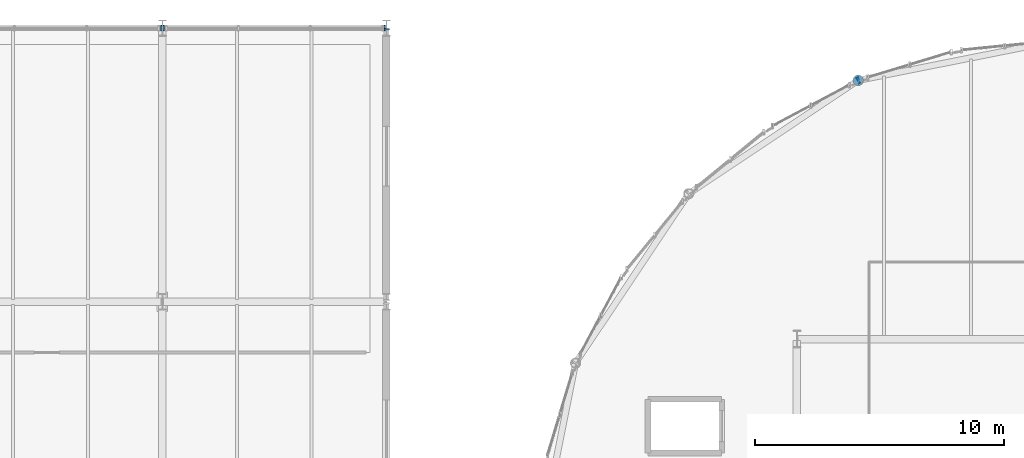
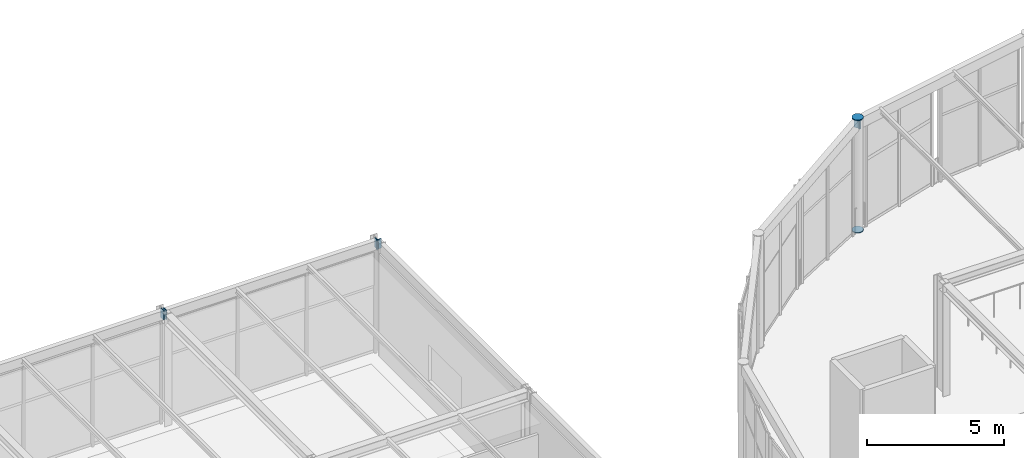
# One storey, part 168 of 195: 8 discrete accessories.
"""IFC4 building model written with IfcOpenShell, lengths in metres."""

from ifc_helpers import new_model, si_unit, direction, frame, origin, origin_2d, place, context, subcontext, project, spatial, rectangle, circle, extrude, material, element, save


model = new_model("IFC4")

# Units and contexts
model_context = context("Model", 3, precision=1e-05, world=origin(), true_north=direction((0.0, 1.0)))
body_context = subcontext(model_context, "Body", "Model", "MODEL_VIEW")
ifc_project = project(units=[si_unit("LENGTHUNIT", "METRE"), si_unit("AREAUNIT", "SQUARE_METRE"), si_unit("VOLUMEUNIT", "CUBIC_METRE"), si_unit("PLANEANGLEUNIT", "RADIAN"), si_unit("MASSUNIT", "GRAM", prefix="KILO")], contexts=[model_context])

# Site, building, storey
site_placement = place(None, origin())
site = spatial("IfcSite", under=ifc_project, at=site_placement, CompositionType="ELEMENT")
building_placement = place(site_placement, origin())
building = spatial("IfcBuilding", under=site, at=building_placement, Name="Marlcrest Central Station", CompositionType="ELEMENT")
storey_placement = place(building_placement, frame((0.0, 0.0, 9.800048828125)))
storey = spatial("IfcBuildingStorey", under=building, at=storey_placement, Name="L02", CompositionType="ELEMENT", Elevation=9.800048828125)

# Discrete accessories
ifc_material = material(Name="Steel S355", Category="steel")
for number, where, z_axis, x_axis, name in (
    (1, (71.925048828125, 132.0, 4.800048828125), (1.0, 0.0, 0.0), (0.0, 1.0, 0.0), "endcap-bm-SP-01-L02-00382-e"),
    (2, (72.03515625, 132.0, 4.77490234375), (1.0, 0.0, 0.0), (0.0, 1.0, 0.0), "endcap-bm-SP-01-L02-00383-s"),
    (3, (80.925048828125, 132.0, 4.77490234375), (1.0, 0.0, 0.0), (0.0, 1.0, 0.0), "endcap-bm-SP-01-L02-00383-e"),
    (4, (81.0, 131.925048828125, 4.77490234375), (0.0, 1.0, 0.0), (-1.0, 0.0, 0.0), "endcap-bm-SP-01-L02-00413-e"),
):
    element("IfcDiscreteAccessory", number, at=place(storey_placement, frame(where, z_axis=z_axis, x_axis=x_axis)), inside=storey, material=ifc_material, Name=name, ObjectType="END_CAP_PLATE", PredefinedType="BRACKET", context=body_context, shape_type="SweptSolid", body=[
        extrude(rectangle(XDim=0.216064453125, YDim=0.416015625, at=origin_2d()), origin(), (0.0, 0.0, 1.0), 0.0400390625),
    ])
for number, where, z_axis, x_axis, name in (
    (5, (99.964111328125, 129.90087890625, -0.014892578125), (0.0, 0.0, 1.0), (1.0, 0.0, 0.0), "endcap-col-SC-10-L02-0853-s"),
    (6, (99.964111328125, 129.90087890625, 4.985107421875), (0.0, 0.0, 1.0), (1.0, 0.0, 0.0), "endcap-col-SC-10-L02-0853-e"),
):
    element("IfcDiscreteAccessory", number, at=place(storey_placement, frame(where, z_axis=z_axis, x_axis=x_axis)), inside=storey, material=ifc_material, Name=name, ObjectType="END_CAP_PLATE", PredefinedType="BRACKET", context=body_context, shape_type="SweptSolid", body=[
        extrude(circle(Radius=0.211181640625, at=origin_2d()), origin(), (0.0, 0.0, 1.0), 0.0400390625),
    ])
for number, where, z_axis, x_axis, name in (
    (7, (99.943359375, 129.886962890625, 4.77001953125), (0.831508991937, 0.55551129271, 0.0), (-0.55551129271, 0.831508991937, 0.0), "endcap-bm-SP-02-L02-01479-e"),
    (8, (99.949462890625, 129.89794921875, 4.77001953125), (0.980769316421, 0.19517056122, 0.0), (-0.19517056122, 0.980769316421, 0.0), "endcap-bm-SP-02-L02-01480-s"),
):
    element("IfcDiscreteAccessory", number, at=place(storey_placement, frame(where, z_axis=z_axis, x_axis=x_axis)), inside=storey, material=ifc_material, Name=name, ObjectType="END_CAP_PLATE", PredefinedType="BRACKET", context=body_context, shape_type="SweptSolid", body=[
        extrude(rectangle(XDim=0.26611328125, YDim=0.466064453125, at=origin_2d()), origin(), (0.0, 0.0, 1.0), 0.0400390625),
    ])

save(model, "model.ifc")
